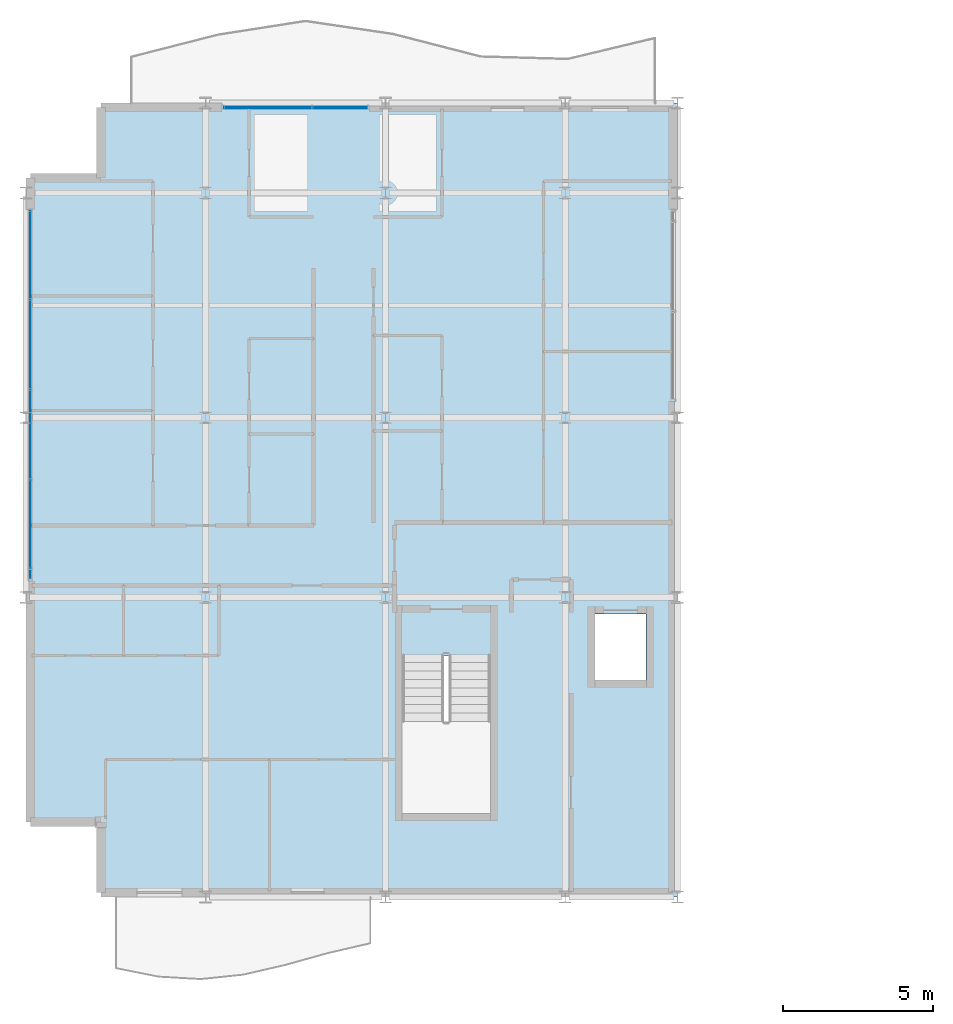
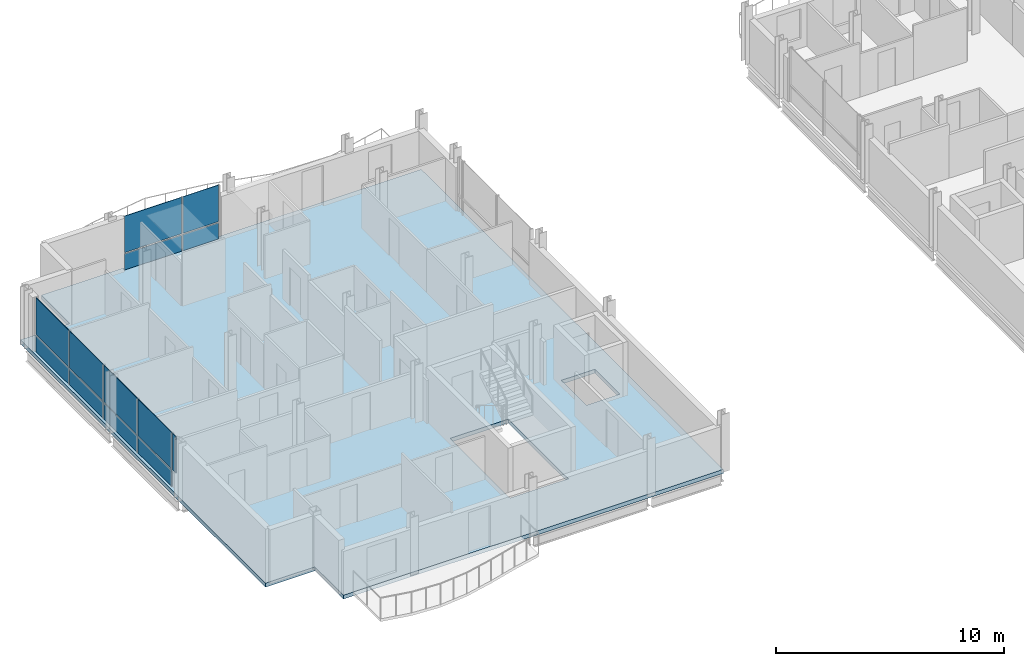
# One storey, part 16 of 27: 13 plates, 1 slab, 2 elements without a shape of their own.
"""IFC4 building model written with IfcOpenShell, lengths in metres."""

from ifc_helpers import new_model, si_unit, direction, frame, origin, origin_2d, place, context, subcontext, project, spatial, polyline, rectangle, outline, extrude, material, layer, layer_set, type_object, element, aggregate, save


model = new_model("IFC4")

# Units and contexts
model_context = context("Model", 3, precision=1e-05, world=origin(), true_north=direction((0.0, 1.0)))
body_context = subcontext(model_context, "Body", "Model", "MODEL_VIEW")
ifc_project = project(units=[si_unit("LENGTHUNIT", "METRE"), si_unit("AREAUNIT", "SQUARE_METRE"), si_unit("VOLUMEUNIT", "CUBIC_METRE"), si_unit("PLANEANGLEUNIT", "RADIAN"), si_unit("MASSUNIT", "GRAM", prefix="KILO")], contexts=[model_context])

# Site, building, storey
site_placement = place(None, origin())
site = spatial("IfcSite", under=ifc_project, at=site_placement, CompositionType="ELEMENT")
building_placement = place(site_placement, origin())
building = spatial("IfcBuilding", under=site, at=building_placement, Name="Brevholm Reach", CompositionType="ELEMENT")
storey_placement = place(building_placement, frame((0.0, 0.0, 195.60009765625)))
storey = spatial("IfcBuildingStorey", under=building, at=storey_placement, Name="L59", CompositionType="ELEMENT", Elevation=195.60009765625)

# Curtain wall, plates
ifc_material_1 = material(Name="Dark Anodised Aluminium 6063-T6 and Solar-Control Glass", Category="aluminium")
ifc_layer_1 = layer(ifc_material_1, 0.14990234375)
ifc_layer_set_1 = layer_set([ifc_layer_1], Name="Dark Anodised Aluminium 6063-T6 and Solar-Control Glass")
curtain_wall_type = type_object("IfcCurtainWallType", Name="CW-01", PredefinedType="NOTDEFINED", material=ifc_layer_set_1)
curtain_wall_1_placement = place(storey_placement, origin())
curtain_wall_1 = element("IfcCurtainWall", 1, at=curtain_wall_1_placement, inside=storey, type_object=curtain_wall_type, Name="L59 Curtain Wall CW-01", PredefinedType="NOTDEFINED")
ifc_material_2 = material(Name="Dark Solar-Control Double-Glazed IGU Glass", Category="glass")
ifc_layer_2 = layer(ifc_material_2, 0.028076171875)
ifc_layer_set_2 = layer_set([ifc_layer_2], Name="Dark Solar-Control Double-Glazed IGU Glass")
plate_type = type_object("IfcPlateType", Name="CWP-GLZ-28", PredefinedType="CURTAIN_PANEL", material=ifc_layer_set_2)
plate_1_placement = place(storey_placement, frame((0.14990234375, 21.433837890625, 0.0), z_axis=(0.0, 0.0, 1.0), x_axis=(0.0, -1.0, 0.0)))
plate_1 = element("IfcPlate", 2, at=plate_1_placement, type_object=plate_type, Name="CP-01 Glazing Panel 1.1", PredefinedType="CURTAIN_PANEL", context=body_context, shape_type="SweptSolid", body=[
    extrude(rectangle(XDim=2.902587890625, YDim=0.028076171875, at=origin_2d()), origin(), (0.0, 0.0, 1.0), 0.867431640625),
])
plate_2_placement = place(storey_placement, frame((0.14990234375, 21.433837890625, 0.932373046875), z_axis=(0.0, 0.0, 1.0), x_axis=(0.0, -1.0, 0.0)))
plate_2 = element("IfcPlate", 3, at=plate_2_placement, type_object=plate_type, Name="CP-01 Glazing Panel 1.2", PredefinedType="CURTAIN_PANEL", context=body_context, shape_type="SweptSolid", body=[
    extrude(rectangle(XDim=2.902587890625, YDim=0.028076171875, at=origin_2d()), origin(), (0.0, 0.0, 1.0), 1.95751953125),
])
plate_3_placement = place(storey_placement, frame((0.14990234375, 18.449951171875, 0.0), z_axis=(0.0, 0.0, 1.0), x_axis=(0.0, -1.0, 0.0)))
plate_3 = element("IfcPlate", 4, at=plate_3_placement, type_object=plate_type, Name="CP-01 Glazing Panel 2.1", PredefinedType="CURTAIN_PANEL", context=body_context, shape_type="SweptSolid", body=[
    extrude(rectangle(XDim=2.93505859375, YDim=0.028076171875, at=origin_2d()), origin(), (0.0, 0.0, 1.0), 0.867431640625),
])
plate_4_placement = place(storey_placement, frame((0.14990234375, 18.449951171875, 0.932373046875), z_axis=(0.0, 0.0, 1.0), x_axis=(0.0, -1.0, 0.0)))
plate_4 = element("IfcPlate", 5, at=plate_4_placement, type_object=plate_type, Name="CP-01 Glazing Panel 2.2", PredefinedType="CURTAIN_PANEL", context=body_context, shape_type="SweptSolid", body=[
    extrude(rectangle(XDim=2.93505859375, YDim=0.028076171875, at=origin_2d()), origin(), (0.0, 0.0, 1.0), 1.95751953125),
])
plate_5_placement = place(storey_placement, frame((0.14990234375, 15.449951171875, 0.0), z_axis=(0.0, 0.0, 1.0), x_axis=(0.0, -1.0, 0.0)))
plate_5 = element("IfcPlate", 6, at=plate_5_placement, type_object=plate_type, Name="CP-01 Glazing Panel 3.1", PredefinedType="CURTAIN_PANEL", context=body_context, shape_type="SweptSolid", body=[
    extrude(rectangle(XDim=2.93505859375, YDim=0.028076171875, at=origin_2d()), origin(), (0.0, 0.0, 1.0), 0.867431640625),
])
plate_6_placement = place(storey_placement, frame((0.14990234375, 15.449951171875, 0.932373046875), z_axis=(0.0, 0.0, 1.0), x_axis=(0.0, -1.0, 0.0)))
plate_6 = element("IfcPlate", 7, at=plate_6_placement, type_object=plate_type, Name="CP-01 Glazing Panel 3.2", PredefinedType="CURTAIN_PANEL", context=body_context, shape_type="SweptSolid", body=[
    extrude(rectangle(XDim=2.93505859375, YDim=0.028076171875, at=origin_2d()), origin(), (0.0, 0.0, 1.0), 1.95751953125),
])
plate_7_placement = place(storey_placement, frame((0.14990234375, 12.449951171875, 0.0), z_axis=(0.0, 0.0, 1.0), x_axis=(0.0, -1.0, 0.0)))
plate_7 = element("IfcPlate", 8, at=plate_7_placement, type_object=plate_type, Name="CP-01 Glazing Panel 4.1", PredefinedType="CURTAIN_PANEL", context=body_context, shape_type="SweptSolid", body=[
    extrude(rectangle(XDim=2.93505859375, YDim=0.028076171875, at=origin_2d()), origin(), (0.0, 0.0, 1.0), 0.867431640625),
])
plate_8_placement = place(storey_placement, frame((0.14990234375, 12.449951171875, 0.932373046875), z_axis=(0.0, 0.0, 1.0), x_axis=(0.0, -1.0, 0.0)))
plate_8 = element("IfcPlate", 9, at=plate_8_placement, type_object=plate_type, Name="CP-01 Glazing Panel 4.2", PredefinedType="CURTAIN_PANEL", context=body_context, shape_type="SweptSolid", body=[
    extrude(rectangle(XDim=2.93505859375, YDim=0.028076171875, at=origin_2d()), origin(), (0.0, 0.0, 1.0), 1.95751953125),
])
plate_9_placement = place(storey_placement, frame((0.14990234375, 10.766357421875, 0.932373046875), z_axis=(0.0, 0.0, 1.0), x_axis=(0.0, -1.0, 0.0)))
plate_9 = element("IfcPlate", 10, at=plate_9_placement, type_object=plate_type, Name="CP-01 Glazing Panel 5.2", PredefinedType="CURTAIN_PANEL", context=body_context, shape_type="SweptSolid", body=[
    extrude(rectangle(XDim=0.302490234375, YDim=0.028076171875, at=origin_2d()), origin(), (0.0, 0.0, 1.0), 1.95751953125),
])
aggregate(curtain_wall_1, [plate_1, plate_2, plate_3, plate_4, plate_5, plate_6, plate_7, plate_8, plate_9])

curtain_wall_2_placement = place(storey_placement, origin())
curtain_wall_2 = element("IfcCurtainWall", 11, at=curtain_wall_2_placement, inside=storey, type_object=curtain_wall_type, Name="L59 Curtain Wall CW-01", PredefinedType="NOTDEFINED")
plate_10_placement = place(storey_placement, frame((8.066162109375, 26.35009765625, 0.0), z_axis=(0.0, 0.0, 1.0), x_axis=(1.0, 0.0, 0.0)))
plate_10 = element("IfcPlate", 12, at=plate_10_placement, type_object=plate_type, Name="CP-01 Glazing Panel 1.1", PredefinedType="CURTAIN_PANEL", context=body_context, shape_type="SweptSolid", body=[
    extrude(rectangle(XDim=2.902587890625, YDim=0.028076171875, at=origin_2d()), origin(), (0.0, 0.0, 1.0), 0.867431640625),
])
plate_11_placement = place(storey_placement, frame((8.066162109375, 26.35009765625, 0.932373046875), z_axis=(0.0, 0.0, 1.0), x_axis=(1.0, 0.0, 0.0)))
plate_11 = element("IfcPlate", 13, at=plate_11_placement, type_object=plate_type, Name="CP-01 Glazing Panel 1.2", PredefinedType="CURTAIN_PANEL", context=body_context, shape_type="SweptSolid", body=[
    extrude(rectangle(XDim=2.902587890625, YDim=0.028076171875, at=origin_2d()), origin(), (0.0, 0.0, 1.0), 1.95751953125),
])
plate_12_placement = place(storey_placement, frame((10.483642578125, 26.35009765625, 0.0), z_axis=(0.0, 0.0, 1.0), x_axis=(1.0, 0.0, 0.0)))
plate_12 = element("IfcPlate", 14, at=plate_12_placement, type_object=plate_type, Name="CP-01 Glazing Panel 2.1", PredefinedType="CURTAIN_PANEL", context=body_context, shape_type="SweptSolid", body=[
    extrude(rectangle(XDim=1.802490234375, YDim=0.028076171875, at=origin_2d()), origin(), (0.0, 0.0, 1.0), 0.867431640625),
])
plate_13_placement = place(storey_placement, frame((10.483642578125, 26.35009765625, 0.932373046875), z_axis=(0.0, 0.0, 1.0), x_axis=(1.0, 0.0, 0.0)))
plate_13 = element("IfcPlate", 15, at=plate_13_placement, type_object=plate_type, Name="CP-01 Glazing Panel 2.2", PredefinedType="CURTAIN_PANEL", context=body_context, shape_type="SweptSolid", body=[
    extrude(rectangle(XDim=1.802490234375, YDim=0.028076171875, at=origin_2d()), origin(), (0.0, 0.0, 1.0), 1.95751953125),
])
aggregate(curtain_wall_2, [plate_10, plate_11, plate_12, plate_13])

# Slab
ifc_material_3 = material(Name="Concrete C40/50", Category="concrete")
ifc_layer_3 = layer(ifc_material_3, 0.2099609375)
ifc_layer_set_3 = layer_set([ifc_layer_3], Name="Concrete C40/50")
slab_type = type_object("IfcSlabType", Name="SLB-FL-210", PredefinedType="FLOOR", material=ifc_layer_set_3)
slab_placement = place(storey_placement, frame((0.0, 0.0, -0.210205078125)))
element("IfcSlab", 16, at=slab_placement, inside=storey, type_object=slab_type, Name="L59 Suspended Floor Slab (west-wing)", PredefinedType="FLOOR", context=body_context, shape_type="SweptSolid", body=[
    extrude(outline(polyline([(2.5, 0.0), (21.75, 0.0), (21.75, 26.5), (2.5, 26.5), (2.5, 24.0), (0.0, 24.0), (0.0, 2.5), (2.5, 2.5), (2.5, 0.0)]), holes=[polyline([(12.550048828125, 2.780029296875), (15.5, 2.780029296875), (15.5, 8.044921875), (12.550048828125, 8.044921875), (12.550048828125, 2.780029296875)]), polyline([(19.0, 7.25), (20.699951171875, 7.25), (20.699951171875, 9.449951171875), (19.0, 9.449951171875), (19.0, 7.25)])]), origin(), (0.0, 0.0, 1.0), 0.210205078125),
])

save(model, "model.ifc")
